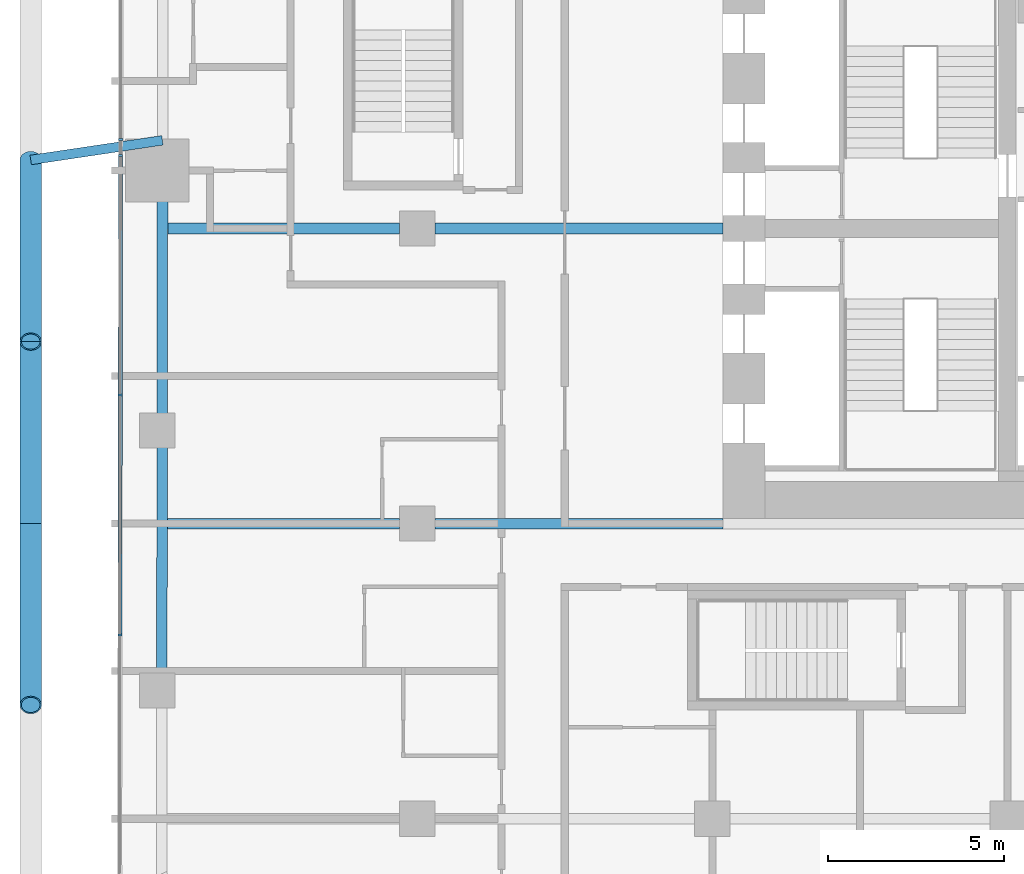
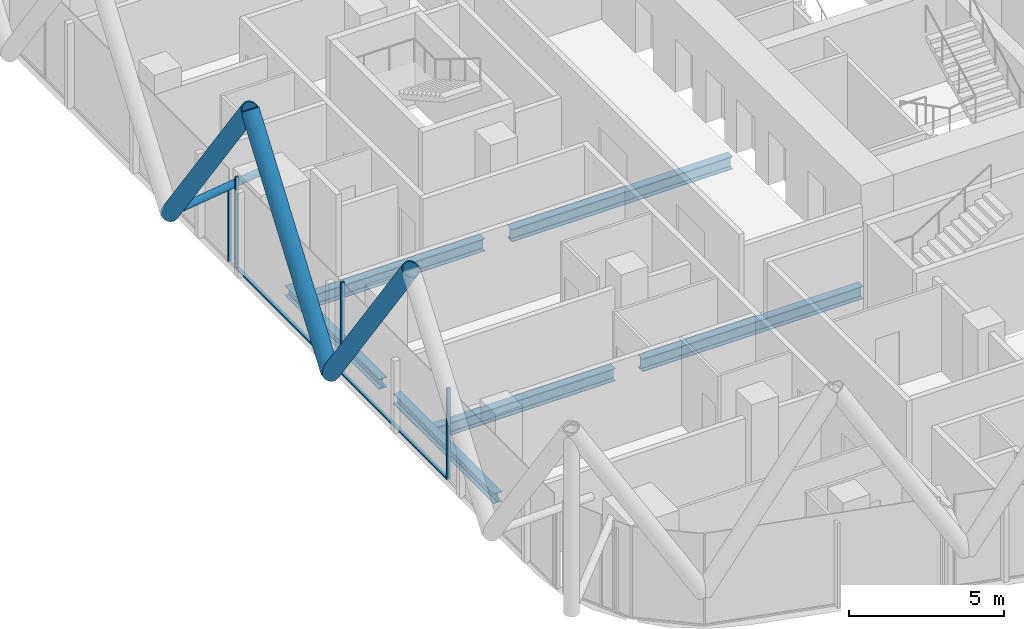
# One storey, part 4 of 38: 10 members, 6 beams, 2 elements without a shape of their own.
"""IFC4 building model written with IfcOpenShell, lengths in metres."""

from ifc_helpers import new_model, si_unit, direction, frame, origin, origin_2d, place, context, subcontext, project, spatial, rectangle, hollow_circle, i_section, extrude, material, layer, layer_set, material_profile, profile_set, type_object, element, aggregate, save


model = new_model("IFC4")

# Units and contexts
model_context = context("Model", 3, precision=1e-05, world=origin(), true_north=direction((0.0, 1.0)))
body_context = subcontext(model_context, "Body", "Model", "MODEL_VIEW")
ifc_project = project(units=[si_unit("LENGTHUNIT", "METRE"), si_unit("AREAUNIT", "SQUARE_METRE"), si_unit("VOLUMEUNIT", "CUBIC_METRE"), si_unit("PLANEANGLEUNIT", "RADIAN"), si_unit("MASSUNIT", "GRAM", prefix="KILO")], contexts=[model_context])

# Site, building, storey
site_placement = place(None, origin())
site = spatial("IfcSite", under=ifc_project, at=site_placement, CompositionType="ELEMENT")
building_placement = place(site_placement, origin())
building = spatial("IfcBuilding", under=site, at=building_placement, Name="Marenta Gate Hotel Tower", CompositionType="ELEMENT")
storey_placement = place(building_placement, frame((0.0, 0.0, 54.5)))
storey = spatial("IfcBuildingStorey", under=building, at=storey_placement, Name="L11", CompositionType="ELEMENT", Elevation=54.5)

# Members
ifc_material_1 = material(Name="Steel S355J2W", Category="steel")
ifc_material_profile_1 = material_profile(ifc_material_1, hollow_circle(Radius=0.304931640625, WallThickness=0.0400390625, at=origin_2d()), Name="CHS 610x40")
ifc_profile_set_1 = profile_set([ifc_material_profile_1], Name="Steel S355J2W")
member_type_1 = type_object("IfcMemberType", Name="Diagrid diagonal Z1 CHS 610x40", PredefinedType="BRACE", material=ifc_profile_set_1)
member_1_placement = place(storey_placement, frame((-32.0, 0.010009765625, 3.139892578125), z_axis=(0.0, -0.583265964901, 0.81228124082), x_axis=(1.0, 0.0, 0.0)))
element("IfcMember", 1, at=member_1_placement, inside=storey, type_object=member_type_1, Name="L11-DG-27", PredefinedType="BRACE", context=body_context, shape_type="SweptSolid", body=[
    extrude(hollow_circle(Radius=0.304931640625, WallThickness=0.0400390625, at=origin_2d()), origin(), (0.0, 0.0, 1.0), 8.8642578125),
])
for number, where, z_axis, x_axis, name in (
    (2, (-32.0, 0.010009765625, 3.139892578125), (0.0, 0.583247791947, 0.812294289767), (-1.0, 0.0, 0.0), "L11-DG-28"),
    (3, (-32.0, 10.349853515625, 3.139892578125), (0.0, -0.583247791947, 0.812294289767), (1.0, 0.0, 0.0), "L11-DG-29"),
):
    element("IfcMember", number, at=place(storey_placement, frame(where, z_axis=z_axis, x_axis=x_axis)), inside=storey, type_object=member_type_1, Name=name, PredefinedType="BRACE", context=body_context, shape_type="SweptSolid", body=[
        extrude(hollow_circle(Radius=0.304931640625, WallThickness=0.0400390625, at=origin_2d()), origin(), (0.0, 0.0, 1.0), 8.864013671875),
    ])

# Beams
ifc_material_2 = material(Name="Steel S355", Category="steel")
ifc_material_profile_2 = material_profile(ifc_material_2, i_section(OverallWidth=0.300048828125, OverallDepth=0.39990234375, WebThickness=0.013427734375, FlangeThickness=0.02392578125, FilletRadius=0.027099609375, at=origin_2d()), Name="HEB 400")
ifc_profile_set_2 = profile_set([ifc_material_profile_2], Name="Steel S355")
beam_type_1 = type_object("IfcBeamType", Name="Edge beam HEB 400", PredefinedType="SPANDREL", material=ifc_profile_set_2)
beam_1_placement = place(storey_placement, frame((-28.267333984375, -4.2919921875, -0.4599609375), z_axis=(0.001393753119, 0.999999028726, 0.0), x_axis=(-0.999999028726, 0.001393753119, 0.0)))
element("IfcBeam", 4, at=beam_1_placement, inside=storey, type_object=beam_type_1, Name="L11-EB-6", PredefinedType="SPANDREL", context=body_context, shape_type="SweptSolid", body=[
    extrude(i_section(OverallWidth=0.300048828125, OverallDepth=0.39990234375, WebThickness=0.013427734375, FlangeThickness=0.02392578125, FilletRadius=0.027099609375, at=origin_2d()), origin(), (0.0, 0.0, 1.0), 6.481201171875),
])
beam_2_placement = place(storey_placement, frame((-28.257080078125, 3.109130859375, -0.4599609375), z_axis=(0.001405226059, 0.999999012669, 0.0), x_axis=(-0.999999012669, 0.001405226059, 0.0)))
element("IfcBeam", 5, at=beam_2_placement, inside=storey, type_object=beam_type_1, Name="L11-EB-7", PredefinedType="SPANDREL", context=body_context, shape_type="SweptSolid", body=[
    extrude(i_section(OverallWidth=0.300048828125, OverallDepth=0.39990234375, WebThickness=0.013427734375, FlangeThickness=0.02392578125, FilletRadius=0.027099609375, at=origin_2d()), origin(), (0.0, 0.0, 1.0), 6.080810546875),
])

# Member
ifc_material_3 = material(Name="Steel S355J2W", Category="steel")
ifc_material_profile_3 = material_profile(ifc_material_3, hollow_circle(Radius=0.136474609375, WallThickness=0.012451171875, at=origin_2d()), Name="CHS 273x12.5")
ifc_profile_set_3 = profile_set([ifc_material_profile_3], Name="Steel S355J2W")
member_type_2 = type_object("IfcMemberType", Name="Floor tie CHS 273x12.5", PredefinedType="STRUT", material=ifc_profile_set_3)
member_2_placement = place(storey_placement, frame((-32.0, 10.349853515625, 3.139892578125), z_axis=(0.989051387298, 0.147571519215, 0.0), x_axis=(-0.147571519215, 0.989051387298, 0.0)))
element("IfcMember", 6, at=member_2_placement, inside=storey, type_object=member_type_2, Name="L11-DR-20", PredefinedType="STRUT", context=body_context, shape_type="SweptSolid", body=[
    extrude(hollow_circle(Radius=0.136474609375, WallThickness=0.012451171875, at=origin_2d()), origin(), (0.0, 0.0, 1.0), 3.78857421875),
])

# Beams
ifc_material_4 = material(Name="Steel S355", Category="steel")
ifc_material_profile_4 = material_profile(ifc_material_4, i_section(OverallWidth=0.300048828125, OverallDepth=0.5, WebThickness=0.014404296875, FlangeThickness=0.028076171875, FilletRadius=0.027099609375, at=origin_2d()), Name="HEB 500")
ifc_profile_set_4 = profile_set([ifc_material_profile_4], Name="Steel S355")
beam_type_2 = type_object("IfcBeamType", Name="Girder HEB 500", PredefinedType="BEAM", material=ifc_profile_set_4)
beam_3_placement = place(storey_placement, frame((-28.111328125, 0.0, -0.510009765625), z_axis=(1.0, 0.0, 0.0), x_axis=(0.0, 1.0, 0.0)))
element("IfcBeam", 7, at=beam_3_placement, inside=storey, type_object=beam_type_2, Name="L11-GD-8", PredefinedType="BEAM", context=body_context, shape_type="SweptSolid", body=[
    extrude(i_section(OverallWidth=0.300048828125, OverallDepth=0.5, WebThickness=0.014404296875, FlangeThickness=0.028076171875, FilletRadius=0.027099609375, at=origin_2d()), origin(), (0.0, 0.0, 1.0), 6.611328125),
])
beam_4_placement = place(storey_placement, frame((-20.5, 0.0, -0.510009765625), z_axis=(1.0, 0.0, 0.0), x_axis=(0.0, 1.0, 0.0)))
element("IfcBeam", 8, at=beam_4_placement, inside=storey, type_object=beam_type_2, Name="L11-GD-9", PredefinedType="BEAM", context=body_context, shape_type="SweptSolid", body=[
    extrude(i_section(OverallWidth=0.300048828125, OverallDepth=0.5, WebThickness=0.014404296875, FlangeThickness=0.028076171875, FilletRadius=0.027099609375, at=origin_2d()), origin(), (0.0, 0.0, 1.0), 8.199951171875),
])
beam_5_placement = place(storey_placement, frame((-28.099609375, 8.39990234375, -0.510009765625), z_axis=(1.0, 0.0, 0.0), x_axis=(0.0, 1.0, 0.0)))
element("IfcBeam", 9, at=beam_5_placement, inside=storey, type_object=beam_type_2, Name="L11-GD-13", PredefinedType="BEAM", context=body_context, shape_type="SweptSolid", body=[
    extrude(i_section(OverallWidth=0.300048828125, OverallDepth=0.5, WebThickness=0.014404296875, FlangeThickness=0.028076171875, FilletRadius=0.027099609375, at=origin_2d()), origin(), (0.0, 0.0, 1.0), 6.599609375),
])
beam_6_placement = place(storey_placement, frame((-20.5, 8.39990234375, -0.510009765625), z_axis=(1.0, 0.0, 0.0), x_axis=(0.0, 1.0, 0.0)))
element("IfcBeam", 10, at=beam_6_placement, inside=storey, type_object=beam_type_2, Name="L11-GD-14", PredefinedType="BEAM", context=body_context, shape_type="SweptSolid", body=[
    extrude(i_section(OverallWidth=0.300048828125, OverallDepth=0.5, WebThickness=0.014404296875, FlangeThickness=0.028076171875, FilletRadius=0.027099609375, at=origin_2d()), origin(), (0.0, 0.0, 1.0), 8.199951171875),
])

# Curtain wall, member
ifc_material_5 = material(Name="Tinted insulated glass in bronze anodised frame", Category="glass")
ifc_layer = layer(ifc_material_5, 0.1201171875)
ifc_layer_set = layer_set([ifc_layer], Name="Tinted insulated glass in bronze anodised frame")
curtain_wall_type = type_object("IfcCurtainWallType", Name="Tower unitised curtain wall CW1", PredefinedType="NOTDEFINED", material=ifc_layer_set)
curtain_wall_1_placement = place(storey_placement, origin())
curtain_wall_1 = element("IfcCurtainWall", 11, at=curtain_wall_1_placement, inside=storey, type_object=curtain_wall_type, Name="CW1 run G07", PredefinedType="NOTDEFINED")
ifc_material_6 = material(Name="Bronze anodised aluminium", Category="aluminium")
ifc_material_profile_5 = material_profile(ifc_material_6, rectangle(XDim=0.1201171875, YDim=0.06005859375, at=origin_2d()), Name="Mullion CW1 60x120 bronze anodised aluminium")
ifc_profile_set_5 = profile_set([ifc_material_profile_5], Name="Bronze anodised aluminium")
member_type_3 = type_object("IfcMemberType", Name="Mullion CW1 60x120 bronze anodised aluminium", PredefinedType="MULLION", material=ifc_profile_set_5)
member_3_placement = place(storey_placement, frame((-29.440185546875, 10.930908203125, 0.0), z_axis=(0.0, 0.0, 1.0), x_axis=(0.999998832533, -0.001528048866, 0.0)))
member_3 = element("IfcMember", 12, at=member_3_placement, type_object=member_type_3, Name="CW1 mullion 1", PredefinedType="MULLION", context=body_context, shape_type="SweptSolid", body=[
    extrude(rectangle(XDim=0.1201171875, YDim=0.06005859375, at=origin_2d()), origin(), (0.0, 0.0, 1.0), 3.00048828125),
])
aggregate(curtain_wall_1, [member_3])

# Curtain wall, members
curtain_wall_2_placement = place(storey_placement, origin())
curtain_wall_2 = element("IfcCurtainWall", 13, at=curtain_wall_2_placement, inside=storey, type_object=curtain_wall_type, Name="CW1 run G08", PredefinedType="NOTDEFINED")
member_4_placement = place(storey_placement, frame((-29.44091796875, 10.472900390625, 0.0), z_axis=(0.0, 0.0, 1.0), x_axis=(0.999998775989, -0.00156461532, 0.0)))
member_4 = element("IfcMember", 14, at=member_4_placement, type_object=member_type_3, Name="CW1 mullion 1", PredefinedType="MULLION", context=body_context, shape_type="SweptSolid", body=[
    extrude(rectangle(XDim=0.1201171875, YDim=0.06005859375, at=origin_2d()), origin(), (0.0, 0.0, 1.0), 3.60009765625),
])
member_5_placement = place(storey_placement, frame((-29.451416015625, 3.6640625, 0.0), z_axis=(0.0, 0.0, 1.0), x_axis=(0.999998775989, -0.00156461532, 0.0)))
member_5 = element("IfcMember", 15, at=member_5_placement, type_object=member_type_3, Name="CW1 mullion 2", PredefinedType="MULLION", context=body_context, shape_type="SweptSolid", body=[
    extrude(rectangle(XDim=0.1201171875, YDim=0.06005859375, at=origin_2d()), origin(), (0.0, 0.0, 1.0), 3.60009765625),
])
member_6_placement = place(storey_placement, frame((-29.462158203125, -3.174560546875, 0.0), z_axis=(0.0, 0.0, 1.0), x_axis=(0.999998775989, -0.00156461532, 0.0)))
member_6 = element("IfcMember", 16, at=member_6_placement, type_object=member_type_3, Name="CW1 mullion 3", PredefinedType="MULLION", context=body_context, shape_type="SweptSolid", body=[
    extrude(rectangle(XDim=0.1201171875, YDim=0.06005859375, at=origin_2d()), origin(), (0.0, 0.0, 1.0), 3.60009765625),
])
ifc_material_7 = material(Name="Bronze anodised aluminium", Category="aluminium")
ifc_material_profile_6 = material_profile(ifc_material_7, rectangle(XDim=0.1201171875, YDim=0.06005859375, at=origin_2d()), Name="Transom CW1 60x120 bronze anodised aluminium")
ifc_profile_set_6 = profile_set([ifc_material_profile_6], Name="Bronze anodised aluminium")
member_type_4 = type_object("IfcMemberType", Name="Transom CW1 60x120 bronze anodised aluminium", PredefinedType="USERDEFINED", material=ifc_profile_set_6)
member_7_placement = place(storey_placement, frame((-29.44091796875, 10.44287109375, 0.030029296875), z_axis=(-0.001555545635, -0.999998790138, 0.0), x_axis=(0.999998790138, -0.001555545635, 0.0)))
member_7 = element("IfcMember", 17, at=member_7_placement, type_object=member_type_4, Name="CW1 transom 1.1", ObjectType="TRANSOM", PredefinedType="USERDEFINED", context=body_context, shape_type="SweptSolid", body=[
    extrude(rectangle(XDim=0.1201171875, YDim=0.06005859375, at=origin_2d()), origin(), (0.0, 0.0, 1.0), 6.748779296875),
])
member_8_placement = place(storey_placement, frame((-29.45166015625, 3.634033203125, 0.030029296875), z_axis=(-0.001548654773, -0.999998800833, 0.0), x_axis=(0.999998800833, -0.001548654773, 0.0)))
member_8 = element("IfcMember", 18, at=member_8_placement, type_object=member_type_4, Name="CW1 transom 2.1", ObjectType="TRANSOM", PredefinedType="USERDEFINED", context=body_context, shape_type="SweptSolid", body=[
    extrude(rectangle(XDim=0.1201171875, YDim=0.06005859375, at=origin_2d()), origin(), (0.0, 0.0, 1.0), 6.77880859375),
])
aggregate(curtain_wall_2, [member_4, member_5, member_6, member_7, member_8])

save(model, "model.ifc")
